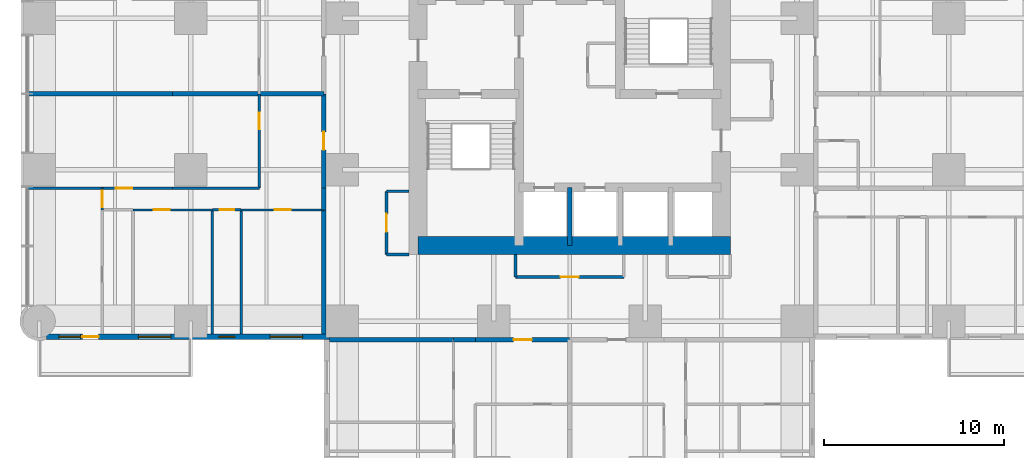
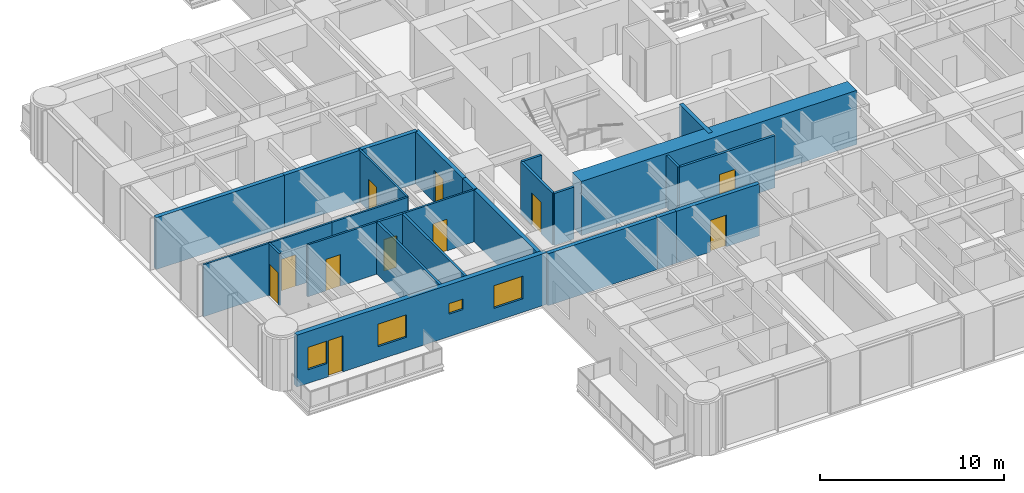
# One storey, part 8 of 17: 27 walls, 11 doors, 4 windows, 15 openings.
"""IFC4 building model written with IfcOpenShell, lengths in metres."""

from ifc_helpers import new_model, si_unit, direction, frame, frame_2d, origin, place, context, subcontext, project, spatial, rectangle, extrude, material, layer, layer_set, type_object, element, fill, save


model = new_model("IFC4")

# Units and contexts
model_context = context("Model", 3, precision=1e-05, world=origin(), true_north=direction((0.0, 1.0)))
body_context = subcontext(model_context, "Body", "Model", "MODEL_VIEW")
ifc_project = project(units=[si_unit("LENGTHUNIT", "METRE"), si_unit("AREAUNIT", "SQUARE_METRE"), si_unit("VOLUMEUNIT", "CUBIC_METRE"), si_unit("PLANEANGLEUNIT", "RADIAN"), si_unit("MASSUNIT", "GRAM", prefix="KILO")], contexts=[model_context])

# Site, building, storey
site_placement = place(None, origin())
site = spatial("IfcSite", under=ifc_project, at=site_placement, CompositionType="ELEMENT")
building_placement = place(site_placement, origin())
building = spatial("IfcBuilding", under=site, at=building_placement, Name="Torre Alcanfor", CompositionType="ELEMENT")
storey_placement = place(building_placement, frame((0.0, 0.0, 52.5)))
storey = spatial("IfcBuildingStorey", under=building, at=storey_placement, Name="L12", CompositionType="ELEMENT", Elevation=52.5)

# Wall, opening, door
ifc_material_1 = material(Name="Concrete block masonry, hollow blocks NMX-C-404 9 MPa", Category="masonry")
ifc_layer_1 = layer(ifc_material_1, 0.25)
ifc_layer_set_1 = layer_set([ifc_layer_1], Name="Apartment entrance wall 250 EI 60")
wall_type_1 = type_object("IfcWallType", Name="Apartment entrance wall 250 EI 60", PredefinedType="PARTITIONING", material=ifc_layer_set_1)
wall_1_placement = place(storey_placement, frame((29.39990234375, 15.77490234375, 0.0), z_axis=(0.0, 0.0, 1.0), x_axis=(-1.0, 0.0, 0.0)))
wall_1 = element("IfcWall", 1, at=wall_1_placement, inside=storey, type_object=wall_type_1, Name="Partition L12-CORR / L12-S2-ZAG", PredefinedType="PARTITIONING", context=body_context, shape_type="SweptSolid", body=[
    extrude(rectangle(XDim=5.22900390625, YDim=0.25, at=frame_2d((2.614501953125, 0.0))), origin(), (0.0, 0.0, 1.0), 3.449951171875),
])
opening_1_placement = place(wall_1_placement, frame((2.10009765625, 0.0, 0.0)))
opening_1 = element("IfcOpeningElement", 2, at=opening_1_placement, cuts=wall_1, Name="Opening D-A1", PredefinedType="OPENING", context=body_context, shape_type="SweptSolid", body=[
    extrude(rectangle(XDim=1.0, YDim=2.10009765625, at=frame_2d((0.5, 1.050048828125))), frame((0.0, 0.135009765625, 0.0), z_axis=(0.0, -1.0, 0.0), x_axis=(1.0, 0.0, 0.0)), (0.0, 0.0, 1.0), 0.27001953125),
])
ifc_material_2 = material(Name="Galvanised steel sheet ASTM A653", Category="steel")
door_type_1 = type_object("IfcDoorType", Name="Apartment entrance door FD60 1000x2100", OperationType="SINGLE_SWING_LEFT", PredefinedType="DOOR", material=ifc_material_2)
door_1_placement = place(opening_1_placement, origin())
door_1 = element("IfcDoor", 3, at=door_1_placement, inside=storey, type_object=door_type_1, Name="Apartment entrance L12-S2", OperationType="SINGLE_SWING_LEFT", OverallHeight=2.10009765625, OverallWidth=1.0, PredefinedType="DOOR", context=body_context, shape_type="SweptSolid", body=[
    extrude(rectangle(XDim=1.0, YDim=2.10009765625, at=frame_2d((0.5, 1.050048828125))), frame((0.0, 0.02490234375, 0.0), z_axis=(0.0, -1.0, 0.0), x_axis=(1.0, 0.0, 0.0)), (0.0, 0.0, 1.0), 0.050048828125),
])
fill(opening_1, door_1)

# Walls
wall_2_placement = place(storey_placement, frame((24.1708984375, 15.77490234375, 0.0), z_axis=(0.0, 0.0, 1.0), x_axis=(-1.0, 0.0, 0.0)))
element("IfcWall", 4, at=wall_2_placement, inside=storey, type_object=wall_type_1, Name="Partition L12-CORR / L12-S2-HALL", PredefinedType="PARTITIONING", context=body_context, shape_type="SweptSolid", body=[
    extrude(rectangle(XDim=1.199951171875, YDim=0.25, at=frame_2d((0.60009765625, 0.0))), origin(), (0.0, 0.0, 1.0), 3.449951171875),
])
wall_3_placement = place(storey_placement, frame((22.970947265625, 15.77490234375, 0.0), z_axis=(0.0, 0.0, 1.0), x_axis=(-1.0, 0.0, 0.0)))
element("IfcWall", 5, at=wall_3_placement, inside=storey, type_object=wall_type_1, Name="Partition L12-CORR / L12-S2-BED3", PredefinedType="PARTITIONING", context=body_context, shape_type="SweptSolid", body=[
    extrude(rectangle(XDim=6.870849609375, YDim=0.25, at=frame_2d((3.435546875, 0.0))), origin(), (0.0, 0.0, 1.0), 3.449951171875),
])

# Wall, opening, door
wall_4_placement = place(storey_placement, frame((15.77490234375, 24.1708984375, 0.0), z_axis=(0.0, 0.0, 1.0), x_axis=(0.0, 1.0, 0.0)))
wall_4 = element("IfcWall", 6, at=wall_4_placement, inside=storey, type_object=wall_type_1, Name="Partition L12-CORR / L12-W1-ZAG", PredefinedType="PARTITIONING", context=body_context, shape_type="SweptSolid", body=[
    extrude(rectangle(XDim=5.22900390625, YDim=0.25, at=frame_2d((2.614501953125, 0.0))), origin(), (0.0, 0.0, 1.0), 3.449951171875),
])
opening_2_placement = place(wall_4_placement, frame((2.12890625, 0.0, 0.0)))
opening_2 = element("IfcOpeningElement", 7, at=opening_2_placement, cuts=wall_4, Name="Opening D-A1", PredefinedType="OPENING", context=body_context, shape_type="SweptSolid", body=[
    extrude(rectangle(XDim=1.0, YDim=2.10009765625, at=frame_2d((0.5, 1.050048828125))), frame((0.0, 0.135009765625, 0.0), z_axis=(0.0, -1.0, 0.0), x_axis=(1.0, 0.0, 0.0)), (0.0, 0.0, 1.0), 0.27001953125),
])
door_2_placement = place(opening_2_placement, origin())
door_2 = element("IfcDoor", 8, at=door_2_placement, inside=storey, type_object=door_type_1, Name="Apartment entrance L12-W1", OperationType="SINGLE_SWING_RIGHT", OverallHeight=2.10009765625, OverallWidth=1.0, PredefinedType="DOOR", context=body_context, shape_type="SweptSolid", body=[
    extrude(rectangle(XDim=1.0, YDim=2.10009765625, at=frame_2d((0.5, 1.050048828125))), frame((0.0, 0.02490234375, 0.0), z_axis=(0.0, -1.0, 0.0), x_axis=(1.0, 0.0, 0.0)), (0.0, 0.0, 1.0), 0.050048828125),
])
fill(opening_2, door_2)

# Walls
wall_5_placement = place(storey_placement, frame((15.77490234375, 22.970947265625, 0.0), z_axis=(0.0, 0.0, 1.0), x_axis=(0.0, 1.0, 0.0)))
element("IfcWall", 9, at=wall_5_placement, inside=storey, type_object=wall_type_1, Name="Partition L12-CORR / L12-W1-HALL", PredefinedType="PARTITIONING", context=body_context, shape_type="SweptSolid", body=[
    extrude(rectangle(XDim=1.199951171875, YDim=0.25, at=frame_2d((0.60009765625, 0.0))), origin(), (0.0, 0.0, 1.0), 3.449951171875),
])
wall_6_placement = place(storey_placement, frame((15.77490234375, 16.10009765625, 0.0), z_axis=(0.0, 0.0, 1.0), x_axis=(0.0, 1.0, 0.0)))
element("IfcWall", 10, at=wall_6_placement, inside=storey, type_object=wall_type_1, Name="Partition L12-CORR / L12-W1-BED3", PredefinedType="PARTITIONING", context=body_context, shape_type="SweptSolid", body=[
    extrude(rectangle(XDim=6.870849609375, YDim=0.25, at=frame_2d((3.435546875, 0.0))), origin(), (0.0, 0.0, 1.0), 3.449951171875),
])

# Wall, opening, door
ifc_material_3 = material(Name="Gypsum board on steel studs", Category="steel")
ifc_layer_2 = layer(ifc_material_3, 0.1201171875)
ifc_layer_set_2 = layer_set([ifc_layer_2], Name="Apartment partition 120")
wall_type_2 = type_object("IfcWallType", Name="Apartment partition 120", PredefinedType="PARTITIONING", material=ifc_layer_set_2)
wall_7_placement = place(storey_placement, frame((12.199951171875, 29.39990234375, 0.0), z_axis=(0.0, 0.0, 1.0), x_axis=(0.0, -1.0, 0.0)))
wall_7 = element("IfcWall", 11, at=wall_7_placement, inside=storey, type_object=wall_type_2, Name="Partition L12-W1-ZAG / L12-W1-KITCHEN", PredefinedType="PARTITIONING", context=body_context, shape_type="SweptSolid", body=[
    extrude(rectangle(XDim=5.22900390625, YDim=0.1201171875, at=frame_2d((2.614501953125, 0.0))), origin(), (0.0, 0.0, 1.0), 3.449951171875),
])
opening_3_placement = place(wall_7_placement, frame((1.050048828125, 0.0, 0.0)))
opening_3 = element("IfcOpeningElement", 12, at=opening_3_placement, cuts=wall_7, Name="Opening D-R1", PredefinedType="OPENING", context=body_context, shape_type="SweptSolid", body=[
    extrude(rectangle(XDim=0.89990234375, YDim=2.10009765625, at=frame_2d((0.449951171875, 1.050048828125))), frame((0.0, 0.070068359375, 0.0), z_axis=(0.0, -1.0, 0.0), x_axis=(1.0, 0.0, 0.0)), (0.0, 0.0, 1.0), 0.14013671875),
])
ifc_material_4 = material(Name="Timber", Category="wood")
door_type_2 = type_object("IfcDoorType", Name="Internal door 900x2100", OperationType="SINGLE_SWING_LEFT", PredefinedType="DOOR", material=ifc_material_4)
door_3_placement = place(opening_3_placement, frame((0.89990234375, 0.0, 0.0), z_axis=(0.0, 0.0, 1.0), x_axis=(-1.0, 0.0, 0.0)))
door_3 = element("IfcDoor", 13, at=door_3_placement, inside=storey, type_object=door_type_2, Name="Door L12-W1 kitchen", OperationType="SINGLE_SWING_RIGHT", OverallHeight=2.10009765625, OverallWidth=0.89990234375, PredefinedType="DOOR", context=body_context, shape_type="SweptSolid", body=[
    extrude(rectangle(XDim=0.89990234375, YDim=2.10009765625, at=frame_2d((0.449951171875, 1.050048828125))), frame((0.0, 0.025146484375, 0.0), z_axis=(0.0, -1.0, 0.0), x_axis=(1.0, 0.0, 0.0)), (0.0, 0.0, 1.0), 0.050048828125),
])
fill(opening_3, door_3)

# Wall
wall_8_placement = place(storey_placement, frame((7.39990234375, 24.1708984375, 0.0), z_axis=(0.0, 0.0, 1.0), x_axis=(1.0, 0.0, 0.0)))
element("IfcWall", 14, at=wall_8_placement, inside=storey, type_object=wall_type_2, Name="Partition L12-W1-KITCHEN / L12-W1-HALL", PredefinedType="PARTITIONING", context=body_context, shape_type="SweptSolid", body=[
    extrude(rectangle(XDim=4.800048828125, YDim=0.1201171875, at=frame_2d((2.39990234375, 0.0))), origin(), (0.0, 0.0, 1.0), 3.449951171875),
])

# Wall, opening, door
wall_9_placement = place(storey_placement, frame((3.5, 24.1708984375, 0.0), z_axis=(0.0, 0.0, 1.0), x_axis=(1.0, 0.0, 0.0)))
wall_9 = element("IfcWall", 15, at=wall_9_placement, inside=storey, type_object=wall_type_2, Name="Partition L12-W1-LIVING / L12-W1-HALL", PredefinedType="PARTITIONING", context=body_context, shape_type="SweptSolid", body=[
    extrude(rectangle(XDim=3.89990234375, YDim=0.1201171875, at=frame_2d((1.949951171875, 0.0))), origin(), (0.0, 0.0, 1.0), 3.449951171875),
])
opening_4_placement = place(wall_9_placement, frame((0.75, 0.0, 0.0)))
opening_4 = element("IfcOpeningElement", 16, at=opening_4_placement, cuts=wall_9, Name="Opening D-R1", PredefinedType="OPENING", context=body_context, shape_type="SweptSolid", body=[
    extrude(rectangle(XDim=0.89990234375, YDim=2.10009765625, at=frame_2d((0.449951171875, 1.050048828125))), frame((0.0, 0.070068359375, 0.0), z_axis=(0.0, -1.0, 0.0), x_axis=(1.0, 0.0, 0.0)), (0.0, 0.0, 1.0), 0.14013671875),
])
door_4_placement = place(opening_4_placement, origin())
door_4 = element("IfcDoor", 17, at=door_4_placement, inside=storey, type_object=door_type_2, Name="Door L12-W1 living", OperationType="SINGLE_SWING_RIGHT", OverallHeight=2.10009765625, OverallWidth=0.89990234375, PredefinedType="DOOR", context=body_context, shape_type="SweptSolid", body=[
    extrude(rectangle(XDim=0.89990234375, YDim=2.10009765625, at=frame_2d((0.449951171875, 1.050048828125))), frame((0.0, 0.02490234375, 0.0), z_axis=(0.0, -1.0, 0.0), x_axis=(1.0, 0.0, 0.0)), (0.0, 0.0, 1.0), 0.050048828125),
])
fill(opening_4, door_4)

# Wall
wall_10_placement = place(storey_placement, frame((-0.64990234375, 24.1708984375, 0.0), z_axis=(0.0, 0.0, 1.0), x_axis=(1.0, 0.0, 0.0)))
element("IfcWall", 18, at=wall_10_placement, inside=storey, type_object=wall_type_2, Name="Partition L12-W1-LIVING / L12-W1-MASTER", PredefinedType="PARTITIONING", context=body_context, shape_type="SweptSolid", body=[
    extrude(rectangle(XDim=4.14990234375, YDim=0.1201171875, at=frame_2d((2.074951171875, 0.0))), origin(), (0.0, 0.0, 1.0), 3.449951171875),
])

# Wall, opening, door
wall_11_placement = place(storey_placement, frame((11.199951171875, 22.970947265625, 0.0), z_axis=(0.0, 0.0, 1.0), x_axis=(1.0, 0.0, 0.0)))
wall_11 = element("IfcWall", 19, at=wall_11_placement, inside=storey, type_object=wall_type_2, Name="Partition L12-W1-HALL / L12-W1-BED3", PredefinedType="PARTITIONING", context=body_context, shape_type="SweptSolid", body=[
    extrude(rectangle(XDim=4.574951171875, YDim=0.1201171875, at=frame_2d((2.28759765625, 0.0))), origin(), (0.0, 0.0, 1.0), 3.449951171875),
])
opening_5_placement = place(wall_11_placement, frame((1.85009765625, 0.0, 0.0)))
opening_5 = element("IfcOpeningElement", 20, at=opening_5_placement, cuts=wall_11, Name="Opening D-R1", PredefinedType="OPENING", context=body_context, shape_type="SweptSolid", body=[
    extrude(rectangle(XDim=0.89990234375, YDim=2.10009765625, at=frame_2d((0.449951171875, 1.050048828125))), frame((0.0, 0.070068359375, 0.0), z_axis=(0.0, -1.0, 0.0), x_axis=(1.0, 0.0, 0.0)), (0.0, 0.0, 1.0), 0.14013671875),
])
door_5_placement = place(opening_5_placement, frame((0.89990234375, 0.0, 0.0), z_axis=(0.0, 0.0, 1.0), x_axis=(-1.0, 0.0, 0.0)))
door_5 = element("IfcDoor", 21, at=door_5_placement, inside=storey, type_object=door_type_2, Name="Door L12-W1 bed3", OperationType="SINGLE_SWING_LEFT", OverallHeight=2.10009765625, OverallWidth=0.89990234375, PredefinedType="DOOR", context=body_context, shape_type="SweptSolid", body=[
    extrude(rectangle(XDim=0.89990234375, YDim=2.10009765625, at=frame_2d((0.449951171875, 1.050048828125))), frame((0.0, 0.025146484375, 0.0), z_axis=(0.0, -1.0, 0.0), x_axis=(1.0, 0.0, 0.0)), (0.0, 0.0, 1.0), 0.050048828125),
])
fill(opening_5, door_5)

wall_12_placement = place(storey_placement, frame((5.199951171875, 22.970947265625, 0.0), z_axis=(0.0, 0.0, 1.0), x_axis=(1.0, 0.0, 0.0)))
wall_12 = element("IfcWall", 22, at=wall_12_placement, inside=storey, type_object=wall_type_2, Name="Partition L12-W1-HALL / L12-W1-BED2", PredefinedType="PARTITIONING", context=body_context, shape_type="SweptSolid", body=[
    extrude(rectangle(XDim=4.400146484375, YDim=0.1201171875, at=frame_2d((2.2001953125, 0.0))), origin(), (0.0, 0.0, 1.0), 3.449951171875),
])
opening_6_placement = place(wall_12_placement, frame((1.14990234375, 0.0, 0.0)))
opening_6 = element("IfcOpeningElement", 23, at=opening_6_placement, cuts=wall_12, Name="Opening D-R1", PredefinedType="OPENING", context=body_context, shape_type="SweptSolid", body=[
    extrude(rectangle(XDim=0.89990234375, YDim=2.10009765625, at=frame_2d((0.449951171875, 1.050048828125))), frame((0.0, 0.070068359375, 0.0), z_axis=(0.0, -1.0, 0.0), x_axis=(1.0, 0.0, 0.0)), (0.0, 0.0, 1.0), 0.14013671875),
])
door_6_placement = place(opening_6_placement, frame((0.89990234375, 0.0, 0.0), z_axis=(0.0, 0.0, 1.0), x_axis=(-1.0, 0.0, 0.0)))
door_6 = element("IfcDoor", 24, at=door_6_placement, inside=storey, type_object=door_type_2, Name="Door L12-W1 bed2", OperationType="SINGLE_SWING_RIGHT", OverallHeight=2.10009765625, OverallWidth=0.89990234375, PredefinedType="DOOR", context=body_context, shape_type="SweptSolid", body=[
    extrude(rectangle(XDim=0.89990234375, YDim=2.10009765625, at=frame_2d((0.449951171875, 1.050048828125))), frame((0.0, 0.025146484375, 0.0), z_axis=(0.0, -1.0, 0.0), x_axis=(1.0, 0.0, 0.0)), (0.0, 0.0, 1.0), 0.050048828125),
])
fill(opening_6, door_6)

wall_13_placement = place(storey_placement, frame((3.5, 24.1708984375, 0.0), z_axis=(0.0, 0.0, 1.0), x_axis=(0.0, -1.0, 0.0)))
wall_13 = element("IfcWall", 25, at=wall_13_placement, inside=storey, type_object=wall_type_2, Name="Partition L12-W1-HALL / L12-W1-MASTER", PredefinedType="PARTITIONING", context=body_context, shape_type="SweptSolid", body=[
    extrude(rectangle(XDim=1.199951171875, YDim=0.1201171875, at=frame_2d((0.60009765625, 0.0))), origin(), (0.0, 0.0, 1.0), 3.449951171875),
])
opening_7_placement = place(wall_13_placement, frame((0.15087890625, 0.0, 0.0)))
opening_7 = element("IfcOpeningElement", 26, at=opening_7_placement, cuts=wall_13, Name="Opening D-R1", PredefinedType="OPENING", context=body_context, shape_type="SweptSolid", body=[
    extrude(rectangle(XDim=0.89990234375, YDim=2.10009765625, at=frame_2d((0.449951171875, 1.050048828125))), frame((0.0, 0.070068359375, 0.0), z_axis=(0.0, -1.0, 0.0), x_axis=(1.0, 0.0, 0.0)), (0.0, 0.0, 1.0), 0.14013671875),
])
door_7_placement = place(opening_7_placement, frame((0.89990234375, 0.0, 0.0), z_axis=(0.0, 0.0, 1.0), x_axis=(-1.0, 0.0, 0.0)))
door_7 = element("IfcDoor", 27, at=door_7_placement, inside=storey, type_object=door_type_2, Name="Door L12-W1 master", OperationType="SINGLE_SWING_RIGHT", OverallHeight=2.10009765625, OverallWidth=0.89990234375, PredefinedType="DOOR", context=body_context, shape_type="SweptSolid", body=[
    extrude(rectangle(XDim=0.89990234375, YDim=2.10009765625, at=frame_2d((0.449951171875, 1.050048828125))), frame((0.0, 0.025146484375, 0.0), z_axis=(0.0, -1.0, 0.0), x_axis=(1.0, 0.0, 0.0)), (0.0, 0.0, 1.0), 0.050048828125),
])
fill(opening_7, door_7)

# Walls
ifc_material_5 = material(Name="Concrete f'c 70 MPa", Category="concrete")
ifc_layer_3 = layer(ifc_material_5, 0.25)
ifc_layer_set_3 = layer_set([ifc_layer_3], Name="Core shaft wall 250 f'c70")
wall_type_3 = type_object("IfcWallType", Name="Core shaft wall 250 f'c70", PredefinedType="SHEAR", material=ifc_layer_set_3)
wall_14_placement = place(storey_placement, frame((29.39990234375, 21.0, 0.0), z_axis=(0.0, 0.0, 1.0), x_axis=(0.0, 1.0, 0.0)))
element("IfcWall", 28, at=wall_14_placement, inside=storey, type_object=wall_type_3, Name="Core wall X294S L12", PredefinedType="SHEAR", context=body_context, shape_type="SweptSolid", body=[
    extrude(rectangle(XDim=3.199951171875, YDim=0.25, at=frame_2d((1.60009765625, 0.0))), origin(), (0.0, 0.0, 1.0), 3.60009765625),
])
ifc_material_6 = material(Name="Concrete f'c 70 MPa", Category="concrete")
ifc_layer_4 = layer(ifc_material_6, 1.0)
ifc_layer_set_4 = layer_set([ifc_layer_4], Name="Core wall 1000 f'c70")
wall_type_4 = type_object("IfcWallType", Name="Core wall 1000 f'c70", PredefinedType="SHEAR", material=ifc_layer_set_4)
wall_15_placement = place(storey_placement, frame((21.0, 21.0, 0.0), z_axis=(0.0, 0.0, 1.0), x_axis=(1.0, 0.0, 0.0)))
element("IfcWall", 29, at=wall_15_placement, inside=storey, type_object=wall_type_4, Name="Core wall OUT-S L12", PredefinedType="SHEAR", context=body_context, shape_type="SweptSolid", body=[
    extrude(rectangle(XDim=17.300048828125, YDim=1.0, at=frame_2d((8.64990234375, 0.0))), origin(), (0.0, 0.0, 1.0), 3.60009765625),
])

# Wall, openings, door, windows
ifc_material_7 = material(Name="Limestone cladding", Category="masonry")
ifc_layer_5 = layer(ifc_material_7, 0.0400390625, Name="Facing")
ifc_material_8 = material(Name="Ventilated air cavity")
ifc_layer_6 = layer(ifc_material_8, 0.02001953125, ventilated=True, Name="Ventilated joint")
ifc_material_9 = material(Name="Mineral wool insulation", Category="insulation")
ifc_layer_7 = layer(ifc_material_9, 0.10009765625, Name="Insulation")
ifc_material_10 = material(Name="Concrete f'c 35 MPa", Category="concrete")
ifc_layer_8 = layer(ifc_material_10, 0.139892578125, Name="Backing")
ifc_layer_set_5 = layer_set([ifc_layer_5, ifc_layer_6, ifc_layer_7, ifc_layer_8], Name="External wall stone-clad 300")
wall_type_5 = type_object("IfcWallType", Name="External wall stone-clad 300", PredefinedType="SOLIDWALL", material=ifc_layer_set_5)
wall_16_placement = place(storey_placement, frame((0.39990234375, 15.949951171875, 0.0), z_axis=(0.0, 0.0, 1.0), x_axis=(1.0, 0.0, 0.0)))
wall_16 = element("IfcWall", 30, at=wall_16_placement, inside=storey, type_object=wall_type_5, Name="External wall L12 3", PredefinedType="SOLIDWALL", context=body_context, shape_type="SweptSolid", body=[
    extrude(rectangle(XDim=15.7001953125, YDim=0.300048828125, at=frame_2d((7.85009765625, 0.0))), origin(), (0.0, 0.0, 1.0), 3.449951171875),
])
opening_8_placement = place(wall_16_placement, frame((12.39990234375, 0.0, 0.89990234375)))
opening_8 = element("IfcOpeningElement", 31, at=opening_8_placement, cuts=wall_16, Name="Opening W2", PredefinedType="OPENING", context=body_context, shape_type="SweptSolid", body=[
    extrude(rectangle(XDim=1.800048828125, YDim=1.5, at=frame_2d((0.89990234375, 0.75))), frame((0.0, 0.159912109375, 0.0), z_axis=(0.0, -1.0, 0.0), x_axis=(1.0, 0.0, 0.0)), (0.0, 0.0, 1.0), 0.320068359375),
])
opening_9_placement = place(wall_16_placement, frame((9.550048828125, 0.0, 1.5)))
opening_9 = element("IfcOpeningElement", 32, at=opening_9_placement, cuts=wall_16, Name="Opening W3", PredefinedType="OPENING", context=body_context, shape_type="SweptSolid", body=[
    extrude(rectangle(XDim=0.89990234375, YDim=0.699951171875, at=frame_2d((0.449951171875, 0.35009765625))), frame((0.0, 0.159912109375, 0.0), z_axis=(0.0, -1.0, 0.0), x_axis=(1.0, 0.0, 0.0)), (0.0, 0.0, 1.0), 0.320068359375),
])
opening_10_placement = place(wall_16_placement, frame((5.10009765625, 0.0, 0.89990234375)))
opening_10 = element("IfcOpeningElement", 33, at=opening_10_placement, cuts=wall_16, Name="Opening W2", PredefinedType="OPENING", context=body_context, shape_type="SweptSolid", body=[
    extrude(rectangle(XDim=1.800048828125, YDim=1.5, at=frame_2d((0.89990234375, 0.75))), frame((0.0, 0.159912109375, 0.0), z_axis=(0.0, -1.0, 0.0), x_axis=(1.0, 0.0, 0.0)), (0.0, 0.0, 1.0), 0.320068359375),
])
opening_11_placement = place(wall_16_placement, frame((2.0, 0.0, 0.0)))
opening_11 = element("IfcOpeningElement", 34, at=opening_11_placement, cuts=wall_16, Name="Opening D-B1", PredefinedType="OPENING", context=body_context, shape_type="SweptSolid", body=[
    extrude(rectangle(XDim=0.89990234375, YDim=2.39990234375, at=frame_2d((0.449951171875, 1.199951171875))), frame((0.0, 0.159912109375, 0.0), z_axis=(0.0, -1.0, 0.0), x_axis=(1.0, 0.0, 0.0)), (0.0, 0.0, 1.0), 0.320068359375),
])
opening_12_placement = place(wall_16_placement, frame((0.699951171875, 0.0, 0.89990234375)))
opening_12 = element("IfcOpeningElement", 35, at=opening_12_placement, cuts=wall_16, Name="Opening W4", PredefinedType="OPENING", context=body_context, shape_type="SweptSolid", body=[
    extrude(rectangle(XDim=1.199951171875, YDim=1.5, at=frame_2d((0.60009765625, 0.75))), frame((0.0, 0.159912109375, 0.0), z_axis=(0.0, -1.0, 0.0), x_axis=(1.0, 0.0, 0.0)), (0.0, 0.0, 1.0), 0.320068359375),
])
ifc_material_11 = material(Name="Aluminium and glass", Category="aluminium")
door_type_3 = type_object("IfcDoorType", Name="Balcony door glazed 900x2400", OperationType="SINGLE_SWING_LEFT", PredefinedType="DOOR", material=ifc_material_11)
door_8_placement = place(opening_11_placement, origin())
door_8 = element("IfcDoor", 36, at=door_8_placement, inside=storey, type_object=door_type_3, Name="Balcony door L12-W1", OperationType="SINGLE_SWING_RIGHT", OverallHeight=2.39990234375, OverallWidth=0.89990234375, PredefinedType="DOOR", context=body_context, shape_type="SweptSolid", body=[
    extrude(rectangle(XDim=0.89990234375, YDim=2.39990234375, at=frame_2d((0.449951171875, 1.199951171875))), frame((0.0, 0.02490234375, 0.0), z_axis=(0.0, -1.0, 0.0), x_axis=(1.0, 0.0, 0.0)), (0.0, 0.0, 1.0), 0.050048828125),
])
fill(opening_11, door_8)
ifc_material_12 = material(Name="Aluminium frame with clear double glazing", Category="aluminium")
window_type_1 = type_object("IfcWindowType", Name="Window bathroom 900x700", PartitioningType="SINGLE_PANEL", PredefinedType="WINDOW", material=ifc_material_12)
window_1_placement = place(opening_9_placement, origin())
window_1 = element("IfcWindow", 37, at=window_1_placement, inside=storey, type_object=window_type_1, Name="Window W3 L12-W1", OverallHeight=0.699951171875, OverallWidth=0.89990234375, PartitioningType="SINGLE_PANEL", PredefinedType="WINDOW", context=body_context, shape_type="SweptSolid", body=[
    extrude(rectangle(XDim=0.89990234375, YDim=0.699951171875, at=frame_2d((0.449951171875, 0.35009765625))), frame((0.0, 0.030029296875, 0.0), z_axis=(0.0, -1.0, 0.0), x_axis=(1.0, 0.0, 0.0)), (0.0, 0.0, 1.0), 0.06005859375),
])
fill(opening_9, window_1)
ifc_material_13 = material(Name="Aluminium frame with clear double glazing", Category="aluminium")
window_type_2 = type_object("IfcWindowType", Name="Window bedroom 1200x1500", PartitioningType="SINGLE_PANEL", PredefinedType="WINDOW", material=ifc_material_13)
window_2_placement = place(opening_12_placement, origin())
window_2 = element("IfcWindow", 38, at=window_2_placement, inside=storey, type_object=window_type_2, Name="Window W4 L12-W1", OverallHeight=1.5, OverallWidth=1.199951171875, PartitioningType="SINGLE_PANEL", PredefinedType="WINDOW", context=body_context, shape_type="SweptSolid", body=[
    extrude(rectangle(XDim=1.199951171875, YDim=1.5, at=frame_2d((0.60009765625, 0.75))), frame((0.0, 0.030029296875, 0.0), z_axis=(0.0, -1.0, 0.0), x_axis=(1.0, 0.0, 0.0)), (0.0, 0.0, 1.0), 0.06005859375),
])
fill(opening_12, window_2)
ifc_material_14 = material(Name="Aluminium frame with clear double glazing", Category="aluminium")
window_type_3 = type_object("IfcWindowType", Name="Window bedroom 1800x1500", PartitioningType="SINGLE_PANEL", PredefinedType="WINDOW", material=ifc_material_14)
window_3_placement = place(opening_8_placement, origin())
window_3 = element("IfcWindow", 39, at=window_3_placement, inside=storey, type_object=window_type_3, Name="Window W2 L12-W1", OverallHeight=1.5, OverallWidth=1.800048828125, PartitioningType="SINGLE_PANEL", PredefinedType="WINDOW", context=body_context, shape_type="SweptSolid", body=[
    extrude(rectangle(XDim=1.800048828125, YDim=1.5, at=frame_2d((0.89990234375, 0.75))), frame((0.0, 0.030029296875, 0.0), z_axis=(0.0, -1.0, 0.0), x_axis=(1.0, 0.0, 0.0)), (0.0, 0.0, 1.0), 0.06005859375),
])
fill(opening_8, window_3)
window_4_placement = place(opening_10_placement, origin())
window_4 = element("IfcWindow", 40, at=window_4_placement, inside=storey, type_object=window_type_3, Name="Window W2 L12-W1", OverallHeight=1.5, OverallWidth=1.800048828125, PartitioningType="SINGLE_PANEL", PredefinedType="WINDOW", context=body_context, shape_type="SweptSolid", body=[
    extrude(rectangle(XDim=1.800048828125, YDim=1.5, at=frame_2d((0.89990234375, 0.75))), frame((0.0, 0.030029296875, 0.0), z_axis=(0.0, -1.0, 0.0), x_axis=(1.0, 0.0, 0.0)), (0.0, 0.0, 1.0), 0.06005859375),
])
fill(opening_10, window_4)

# Walls
ifc_material_15 = material(Name="Concrete block masonry, hollow blocks NMX-C-404 9 MPa", Category="masonry")
ifc_layer_9 = layer(ifc_material_15, 0.25)
ifc_layer_set_6 = layer_set([ifc_layer_9], Name="Party wall 250 EI 60")
wall_type_6 = type_object("IfcWallType", Name="Party wall 250 EI 60", PredefinedType="PARTITIONING", material=ifc_layer_set_6)
wall_17_placement = place(storey_placement, frame((15.77490234375, 29.39990234375, 0.0), z_axis=(0.0, 0.0, 1.0), x_axis=(-1.0, 0.0, 0.0)))
element("IfcWall", 41, at=wall_17_placement, inside=storey, type_object=wall_type_6, Name="Partition L12-W1-ZAG / L12-W2-ZAG", PredefinedType="PARTITIONING", context=body_context, shape_type="SweptSolid", body=[
    extrude(rectangle(XDim=3.574951171875, YDim=0.25, at=frame_2d((1.78759765625, 0.0))), origin(), (0.0, 0.0, 1.0), 3.449951171875),
])
wall_18_placement = place(storey_placement, frame((12.199951171875, 29.39990234375, 0.0), z_axis=(0.0, 0.0, 1.0), x_axis=(-1.0, 0.0, 0.0)))
element("IfcWall", 42, at=wall_18_placement, inside=storey, type_object=wall_type_6, Name="Partition L12-W1-KITCHEN / L12-W2-KITCHEN", PredefinedType="PARTITIONING", context=body_context, shape_type="SweptSolid", body=[
    extrude(rectangle(XDim=4.800048828125, YDim=0.25, at=frame_2d((2.39990234375, 0.0))), origin(), (0.0, 0.0, 1.0), 3.449951171875),
])
wall_19_placement = place(storey_placement, frame((7.39990234375, 29.39990234375, 0.0), z_axis=(0.0, 0.0, 1.0), x_axis=(-1.0, 0.0, 0.0)))
element("IfcWall", 43, at=wall_19_placement, inside=storey, type_object=wall_type_6, Name="Partition L12-W1-LIVING / L12-W2-LIVING", PredefinedType="PARTITIONING", context=body_context, shape_type="SweptSolid", body=[
    extrude(rectangle(XDim=8.0498046875, YDim=0.25, at=frame_2d((4.02490234375, 0.0))), origin(), (0.0, 0.0, 1.0), 3.449951171875),
])
ifc_material_16 = material(Name="Concrete block masonry, hollow blocks NMX-C-404 9 MPa", Category="masonry")
ifc_layer_10 = layer(ifc_material_16, 0.14990234375)
ifc_layer_set_7 = layer_set([ifc_layer_10], Name="Residents' room partition 150")
wall_type_7 = type_object("IfcWallType", Name="Residents' room partition 150", PredefinedType="PARTITIONING", material=ifc_layer_set_7)
wall_20_placement = place(storey_placement, frame((26.39990234375, 20.5, 0.0), z_axis=(0.0, 0.0, 1.0), x_axis=(0.0, -1.0, 0.0)))
element("IfcWall", 44, at=wall_20_placement, inside=storey, type_object=wall_type_7, Name="Partition L12-CORR / L12-G04", PredefinedType="PARTITIONING", context=body_context, shape_type="SweptSolid", body=[
    extrude(rectangle(XDim=1.25, YDim=0.14990234375, at=frame_2d((0.625, 0.0))), origin(), (0.0, 0.0, 1.0), 3.449951171875),
])

# Wall, opening, door
wall_21_placement = place(storey_placement, frame((26.39990234375, 19.25, 0.0), z_axis=(0.0, 0.0, 1.0), x_axis=(1.0, 0.0, 0.0)))
wall_21 = element("IfcWall", 45, at=wall_21_placement, inside=storey, type_object=wall_type_7, Name="Partition L12-CORR / L12-G04", PredefinedType="PARTITIONING", context=body_context, shape_type="SweptSolid", body=[
    extrude(rectangle(XDim=6.0, YDim=0.14990234375, at=frame_2d((3.0, 0.0))), origin(), (0.0, 0.0, 1.0), 3.449951171875),
])
opening_13_placement = place(wall_21_placement, frame((2.5, 0.0, 0.0)))
opening_13 = element("IfcOpeningElement", 46, at=opening_13_placement, cuts=wall_21, Name="Opening D-M1", PredefinedType="OPENING", context=body_context, shape_type="SweptSolid", body=[
    extrude(rectangle(XDim=1.0, YDim=2.10009765625, at=frame_2d((0.5, 1.050048828125))), frame((0.0, 0.0849609375, 0.0), z_axis=(0.0, -1.0, 0.0), x_axis=(1.0, 0.0, 0.0)), (0.0, 0.0, 1.0), 0.169921875),
])
ifc_material_17 = material(Name="Timber", Category="wood")
door_type_4 = type_object("IfcDoorType", Name="Residents' room door 1000x2100", OperationType="SINGLE_SWING_LEFT", PredefinedType="DOOR", material=ifc_material_17)
door_9_placement = place(opening_13_placement, origin())
door_9 = element("IfcDoor", 47, at=door_9_placement, inside=storey, type_object=door_type_4, Name="Door L12-G04 parcel room", OperationType="SINGLE_SWING_LEFT", OverallHeight=2.10009765625, OverallWidth=1.0, PredefinedType="DOOR", context=body_context, shape_type="SweptSolid", body=[
    extrude(rectangle(XDim=1.0, YDim=2.10009765625, at=frame_2d((0.5, 1.050048828125))), frame((0.0, 0.02490234375, 0.0), z_axis=(0.0, -1.0, 0.0), x_axis=(1.0, 0.0, 0.0)), (0.0, 0.0, 1.0), 0.050048828125),
])
fill(opening_13, door_9)

# Wall
wall_22_placement = place(storey_placement, frame((20.5, 24.0, 0.0), z_axis=(0.0, 0.0, 1.0), x_axis=(-1.0, 0.0, 0.0)))
element("IfcWall", 48, at=wall_22_placement, inside=storey, type_object=wall_type_7, Name="Partition L12-CORR / L12-G06", PredefinedType="PARTITIONING", context=body_context, shape_type="SweptSolid", body=[
    extrude(rectangle(XDim=1.25, YDim=0.14990234375, at=frame_2d((0.625, 0.0))), origin(), (0.0, 0.0, 1.0), 3.449951171875),
])

# Wall, opening, door
wall_23_placement = place(storey_placement, frame((19.25, 24.0, 0.0), z_axis=(0.0, 0.0, 1.0), x_axis=(0.0, -1.0, 0.0)))
wall_23 = element("IfcWall", 49, at=wall_23_placement, inside=storey, type_object=wall_type_7, Name="Partition L12-CORR / L12-G06", PredefinedType="PARTITIONING", context=body_context, shape_type="SweptSolid", body=[
    extrude(rectangle(XDim=3.5, YDim=0.14990234375, at=frame_2d((1.75, 0.0))), origin(), (0.0, 0.0, 1.0), 3.449951171875),
])
opening_14_placement = place(wall_23_placement, frame((1.25, 0.0, 0.0)))
opening_14 = element("IfcOpeningElement", 50, at=opening_14_placement, cuts=wall_23, Name="Opening D-M1", PredefinedType="OPENING", context=body_context, shape_type="SweptSolid", body=[
    extrude(rectangle(XDim=1.0, YDim=2.10009765625, at=frame_2d((0.5, 1.050048828125))), frame((0.0, 0.0849609375, 0.0), z_axis=(0.0, -1.0, 0.0), x_axis=(1.0, 0.0, 0.0)), (0.0, 0.0, 1.0), 0.169921875),
])
door_10_placement = place(opening_14_placement, origin())
door_10 = element("IfcDoor", 51, at=door_10_placement, inside=storey, type_object=door_type_4, Name="Door L12-G06 cleaners' store", OperationType="SINGLE_SWING_LEFT", OverallHeight=2.10009765625, OverallWidth=1.0, PredefinedType="DOOR", context=body_context, shape_type="SweptSolid", body=[
    extrude(rectangle(XDim=1.0, YDim=2.10009765625, at=frame_2d((0.5, 1.050048828125))), frame((0.0, 0.02490234375, 0.0), z_axis=(0.0, -1.0, 0.0), x_axis=(1.0, 0.0, 0.0)), (0.0, 0.0, 1.0), 0.050048828125),
])
fill(opening_14, door_10)

# Wall
wall_24_placement = place(storey_placement, frame((19.25, 20.5, 0.0), z_axis=(0.0, 0.0, 1.0), x_axis=(1.0, 0.0, 0.0)))
element("IfcWall", 52, at=wall_24_placement, inside=storey, type_object=wall_type_7, Name="Partition L12-CORR / L12-G06", PredefinedType="PARTITIONING", context=body_context, shape_type="SweptSolid", body=[
    extrude(rectangle(XDim=1.25, YDim=0.14990234375, at=frame_2d((0.625, 0.0))), origin(), (0.0, 0.0, 1.0), 3.449951171875),
])

# Wall, opening, door
ifc_material_18 = material(Name="Cement board on steel studs", Category="steel")
ifc_layer_11 = layer(ifc_material_18, 0.14990234375)
ifc_layer_set_8 = layer_set([ifc_layer_11], Name="Wet area partition 150")
wall_type_8 = type_object("IfcWallType", Name="Wet area partition 150", PredefinedType="PARTITIONING", material=ifc_layer_set_8)
wall_25_placement = place(storey_placement, frame((9.60009765625, 22.970947265625, 0.0), z_axis=(0.0, 0.0, 1.0), x_axis=(1.0, 0.0, 0.0)))
wall_25 = element("IfcWall", 53, at=wall_25_placement, inside=storey, type_object=wall_type_8, Name="Partition L12-W1-HALL / L12-W1-BATH1", PredefinedType="PARTITIONING", context=body_context, shape_type="SweptSolid", body=[
    extrude(rectangle(XDim=1.599853515625, YDim=0.14990234375, at=frame_2d((0.7998046875, 0.0))), origin(), (0.0, 0.0, 1.0), 3.449951171875),
])
opening_15_placement = place(wall_25_placement, frame((0.39990234375, 0.0, 0.0)))
opening_15 = element("IfcOpeningElement", 54, at=opening_15_placement, cuts=wall_25, Name="Opening D-R2", PredefinedType="OPENING", context=body_context, shape_type="SweptSolid", body=[
    extrude(rectangle(XDim=0.800048828125, YDim=2.10009765625, at=frame_2d((0.39990234375, 1.050048828125))), frame((0.0, 0.0849609375, 0.0), z_axis=(0.0, -1.0, 0.0), x_axis=(1.0, 0.0, 0.0)), (0.0, 0.0, 1.0), 0.169921875),
])
ifc_material_19 = material(Name="Timber", Category="wood")
door_type_5 = type_object("IfcDoorType", Name="Bathroom door 800x2100", OperationType="SINGLE_SWING_LEFT", PredefinedType="DOOR", material=ifc_material_19)
door_11_placement = place(opening_15_placement, frame((0.800048828125, 0.0, 0.0), z_axis=(0.0, 0.0, 1.0), x_axis=(-1.0, 0.0, 0.0)))
door_11 = element("IfcDoor", 55, at=door_11_placement, inside=storey, type_object=door_type_5, Name="Door L12-W1 bath1", OperationType="SINGLE_SWING_RIGHT", OverallHeight=2.10009765625, OverallWidth=0.800048828125, PredefinedType="DOOR", context=body_context, shape_type="SweptSolid", body=[
    extrude(rectangle(XDim=0.800048828125, YDim=2.10009765625, at=frame_2d((0.400146484375, 1.050048828125))), frame((0.0, 0.025146484375, 0.0), z_axis=(0.0, -1.0, 0.0), x_axis=(1.0, 0.0, 0.0)), (0.0, 0.0, 1.0), 0.050048828125),
])
fill(opening_15, door_11)

# Walls
for number, where, z_axis, x_axis, name in (
    (56, (11.199951171875, 22.970947265625, 0.0), (0.0, 0.0, 1.0), (0.0, -1.0, 0.0), "Partition L12-W1-BED3 / L12-W1-BATH1"),
    (57, (9.60009765625, 22.970947265625, 0.0), (0.0, 0.0, 1.0), (0.0, -1.0, 0.0), "Partition L12-W1-BATH1 / L12-W1-BED2"),
):
    element("IfcWall", number, at=place(storey_placement, frame(where, z_axis=z_axis, x_axis=x_axis)), inside=storey, type_object=wall_type_8, Name=name, PredefinedType="PARTITIONING", context=body_context, shape_type="SweptSolid", body=[
        extrude(rectangle(XDim=6.870849609375, YDim=0.14990234375, at=frame_2d((3.435546875, 0.0))), origin(), (0.0, 0.0, 1.0), 3.449951171875),
    ])

save(model, "model.ifc")
